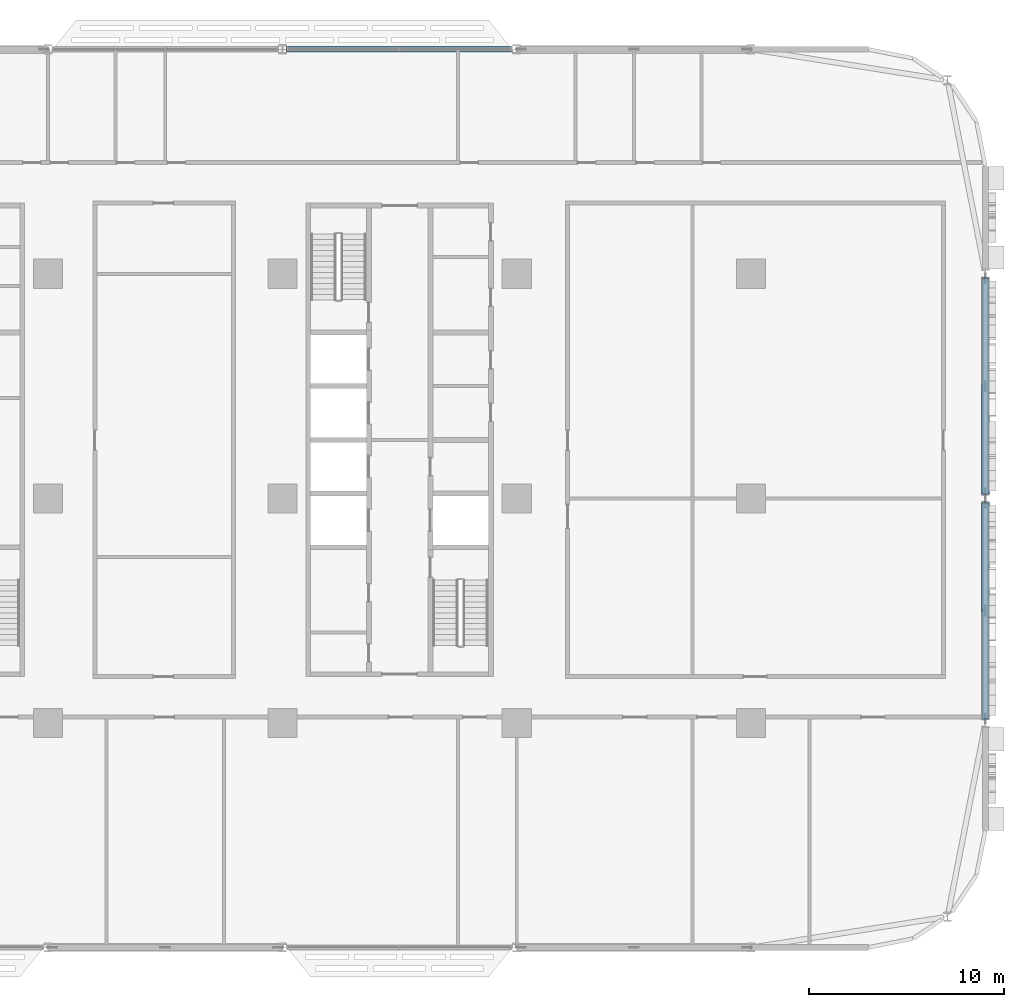
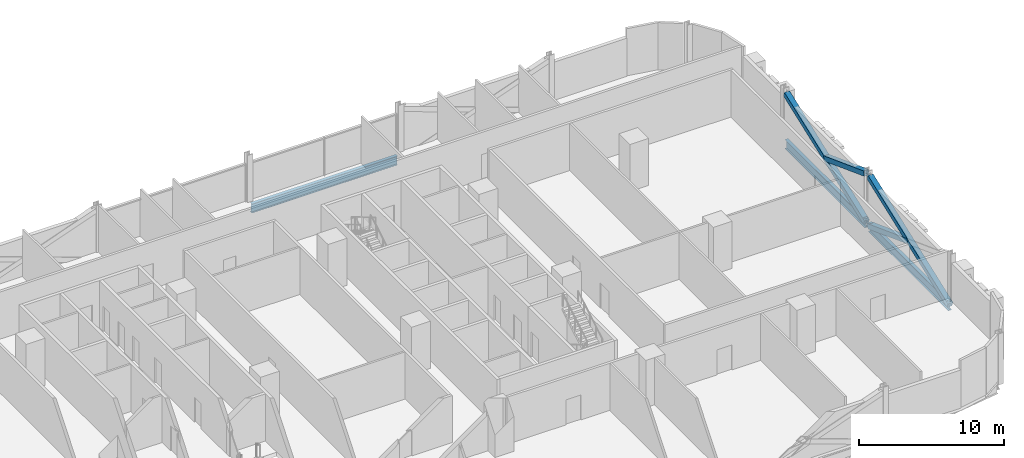
# One storey, part 9 of 29: 4 members, 3 beams.
"""IFC4 building model written with IfcOpenShell, lengths in metres."""

from ifc_helpers import new_model, si_unit, direction, frame, origin, origin_2d, place, context, subcontext, project, spatial, hollow_rectangle, i_section, extrude, material, material_profile, profile_set, type_object, element, save


model = new_model("IFC4")

# Units and contexts
model_context = context("Model", 3, precision=1e-05, world=origin(), true_north=direction((0.0, 1.0)))
body_context = subcontext(model_context, "Body", "Model", "MODEL_VIEW")
ifc_project = project(units=[si_unit("LENGTHUNIT", "METRE"), si_unit("AREAUNIT", "SQUARE_METRE"), si_unit("VOLUMEUNIT", "CUBIC_METRE"), si_unit("PLANEANGLEUNIT", "RADIAN"), si_unit("MASSUNIT", "GRAM", prefix="KILO")], contexts=[model_context])

# Site, building, storey
site_placement = place(None, origin())
site = spatial("IfcSite", under=ifc_project, at=site_placement, CompositionType="ELEMENT")
building_placement = place(site_placement, origin())
building = spatial("IfcBuilding", under=site, at=building_placement, Name="Mahtab Terrace Research Tower", CompositionType="ELEMENT")
storey_placement = place(building_placement, frame((0.0, 0.0, 71.800048828125)))
storey = spatial("IfcBuildingStorey", under=building, at=storey_placement, Name="L16", CompositionType="ELEMENT", Elevation=71.800048828125)

# Members
ifc_material_1 = material(Name="Steel ASTM A500 Gr C", Category="steel")
ifc_material_profile_1 = material_profile(ifc_material_1, hollow_rectangle(XDim=0.406494140625, YDim=0.406494140625, WallThickness=0.01904296875, at=origin_2d()), Name="HSS16X16X3/4")
ifc_profile_set_1 = profile_set([ifc_material_profile_1], Name="Steel ASTM A500 Gr C")
member_type = type_object("IfcMemberType", Name="HSS 16x16x3/4 brace XB161634", PredefinedType="BRACE", material=ifc_profile_set_1)
member_1_placement = place(storey_placement, frame((54.0, -11.262451171875, -0.629638671875), z_axis=(0.0, 0.936664598222, 0.35022768371), x_axis=(-1.0, 0.0, 0.0)))
element("IfcMember", 1, at=member_1_placement, inside=storey, type_object=member_type, Name="Exoskeleton brace L16 22 a", PredefinedType="BRACE", context=body_context, shape_type="SweptSolid", body=[
    extrude(hollow_rectangle(XDim=0.406494140625, YDim=0.406494140625, WallThickness=0.01904296875, at=origin_2d()), origin(), (0.0, 0.0, 1.0), 11.770263671875),
])
member_2_placement = place(storey_placement, frame((54.0, -0.237548828125, -0.629638671875), z_axis=(0.0, -0.936671402403, 0.350209485765), x_axis=(1.0, 0.0, 0.0)))
element("IfcMember", 2, at=member_2_placement, inside=storey, type_object=member_type, Name="Exoskeleton brace L16 22 b1", PredefinedType="BRACE", context=body_context, shape_type="SweptSolid", body=[
    extrude(hollow_rectangle(XDim=0.406494140625, YDim=0.406494140625, WallThickness=0.01904296875, at=origin_2d()), origin(), (0.0, 0.0, 1.0), 5.88525390625),
])
member_3_placement = place(storey_placement, frame((54.0, 0.237548828125, -0.629638671875), z_axis=(0.0, 0.936664598222, 0.35022768371), x_axis=(-1.0, 0.0, 0.0)))
element("IfcMember", 3, at=member_3_placement, inside=storey, type_object=member_type, Name="Exoskeleton brace L16 23 a", PredefinedType="BRACE", context=body_context, shape_type="SweptSolid", body=[
    extrude(hollow_rectangle(XDim=0.406494140625, YDim=0.406494140625, WallThickness=0.01904296875, at=origin_2d()), origin(), (0.0, 0.0, 1.0), 11.770263671875),
])
member_4_placement = place(storey_placement, frame((54.0, 5.75, 1.431396484375), z_axis=(0.0, -0.936657793787, 0.350245881259), x_axis=(1.0, 0.0, 0.0)))
element("IfcMember", 4, at=member_4_placement, inside=storey, type_object=member_type, Name="Exoskeleton brace L16 23 b2", PredefinedType="BRACE", context=body_context, shape_type="SweptSolid", body=[
    extrude(hollow_rectangle(XDim=0.406494140625, YDim=0.406494140625, WallThickness=0.01904296875, at=origin_2d()), origin(), (0.0, 0.0, 1.0), 5.88525390625),
])

# Beams
ifc_material_2 = material(Name="Steel ASTM A992 Gr 50", Category="steel")
ifc_material_profile_2 = material_profile(ifc_material_2, i_section(OverallWidth=0.2666015625, OverallDepth=0.7568359375, WebThickness=0.013916015625, FlangeThickness=0.019287109375, at=origin_2d()), Name="W30X108")
ifc_profile_set_2 = profile_set([ifc_material_profile_2], Name="Steel ASTM A992 Gr 50")
beam_type = type_object("IfcBeamType", Name="W30x108 beam BS30108", PredefinedType="BEAM", material=ifc_profile_set_2)
beam_placement = place(storey_placement, frame((29.787841796875, 23.0, -0.718505859375), z_axis=(-1.0, 0.0, 0.0), x_axis=(0.0, -1.0, 0.0)))
element("IfcBeam", 5, at=beam_placement, inside=storey, type_object=beam_type, Name="Spandrel beam L16 03", PredefinedType="BEAM", context=body_context, shape_type="SweptSolid", body=[
    extrude(i_section(OverallWidth=0.2666015625, OverallDepth=0.7568359375, WebThickness=0.013916015625, FlangeThickness=0.019287109375, at=origin_2d()), origin(), (0.0, 0.0, 1.0), 11.57568359375),
])
for number, where, z_axis, x_axis, name in (
    (6, (54.0, -11.262451171875, -0.718505859375), (0.0, 1.0, 0.0), (-1.0, 0.0, 0.0), "Spandrel beam L16 22"),
    (7, (54.0, 0.237548828125, -0.718505859375), (0.0, 1.0, 0.0), (-1.0, 0.0, 0.0), "Spandrel beam L16 23"),
):
    element("IfcBeam", number, at=place(storey_placement, frame(where, z_axis=z_axis, x_axis=x_axis)), inside=storey, type_object=beam_type, Name=name, PredefinedType="BEAM", context=body_context, shape_type="SweptSolid", body=[
        extrude(i_section(OverallWidth=0.2666015625, OverallDepth=0.7568359375, WebThickness=0.013916015625, FlangeThickness=0.019287109375, at=origin_2d()), origin(), (0.0, 0.0, 1.0), 11.02490234375),
    ])

save(model, "model.ifc")
